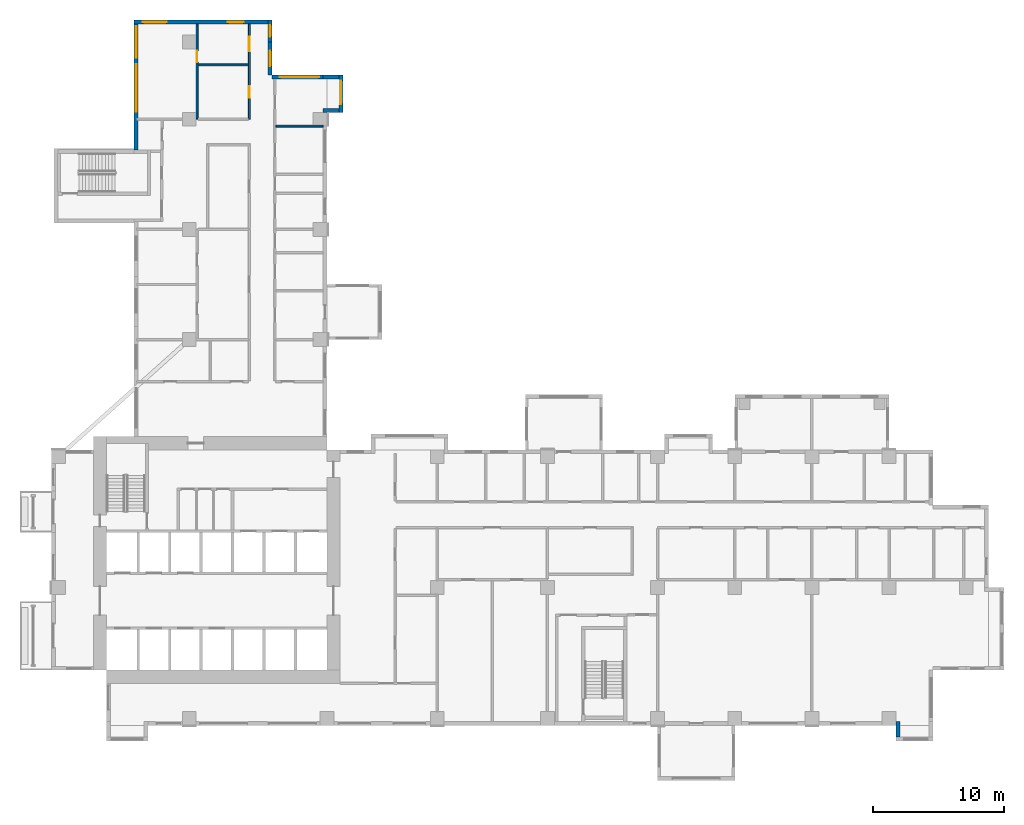
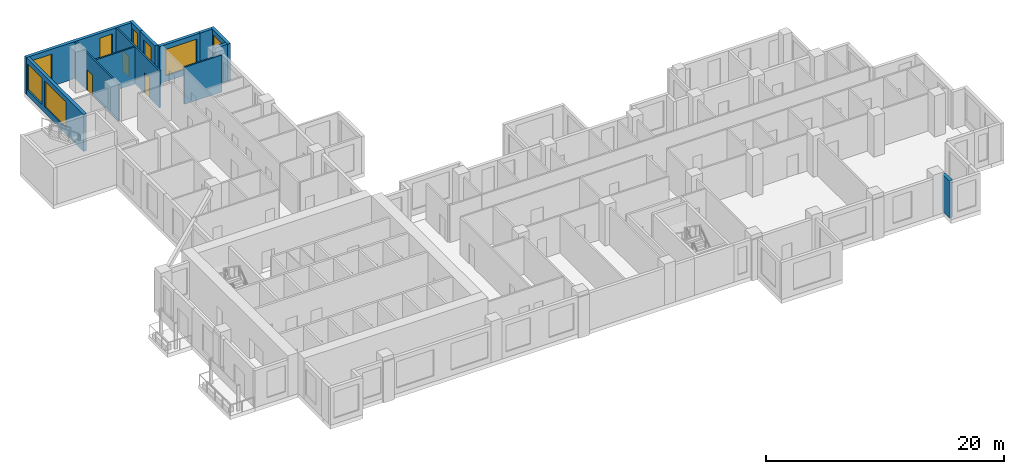
# One storey, part 8 of 15: 13 walls, 8 windows, 3 doors, 11 openings.
"""IFC4 building model written with IfcOpenShell, lengths in metres."""

from ifc_helpers import new_model, si_unit, direction, frame, frame_2d, origin, place, context, subcontext, project, spatial, rectangle, extrude, source, transform, mapped, material, layer, layer_set, type_object, element, fill, save


model = new_model("IFC4")

# Units and contexts
model_context = context("Model", 3, precision=1e-05, world=origin(), true_north=direction((0.0, 1.0)))
body_context = subcontext(model_context, "Body", "Model", "MODEL_VIEW")
ifc_project = project(units=[si_unit("LENGTHUNIT", "METRE"), si_unit("AREAUNIT", "SQUARE_METRE"), si_unit("VOLUMEUNIT", "CUBIC_METRE"), si_unit("PLANEANGLEUNIT", "RADIAN"), si_unit("MASSUNIT", "GRAM", prefix="KILO")], contexts=[model_context])

# Site, building, storey
site_placement = place(None, origin())
site = spatial("IfcSite", under=ifc_project, at=site_placement, CompositionType="ELEMENT")
building_placement = place(site_placement, origin())
building = spatial("IfcBuilding", under=site, at=building_placement, Name="Aurelian Terraces", CompositionType="ELEMENT")
storey_placement = place(building_placement, frame((0.0, 0.0, 120.3)))
storey = spatial("IfcBuildingStorey", under=building, at=storey_placement, Name="L26", CompositionType="ELEMENT", Elevation=120.3)

# Wall, opening, window
ifc_material_1 = material(Name="Terracotta rainscreen cladding", Category="masonry")
ifc_layer_1 = layer(ifc_material_1, 0.3)
ifc_layer_set_1 = layer_set([ifc_layer_1], Name="EW-300")
wall_type_1 = type_object("IfcWallType", Name="EW-300", PredefinedType="STANDARD", material=ifc_layer_set_1)
shared_shape_1 = source(origin(), body_context, "Body", "SweptSolid", [
    extrude(rectangle(XDim=4.2, YDim=0.3, at=frame_2d((2.1, 0.0))), origin(), (0.0, 0.0, 1.0), 3.8),
])
wall_1_placement = place(storey_placement, frame((21.0, 49.41, 0.0), z_axis=(0.0, 0.0, 1.0), x_axis=(-1.0, 0.0, 0.0)))
wall_1 = element("IfcWall", 1, at=wall_1_placement, inside=storey, type_object=wall_type_1, Name="External wall L26 F09.27", PredefinedType="STANDARD", context=body_context, shape_type="MappedRepresentation", body=[
    mapped(shared_shape_1, transform((0.0, 0.0, 0.0), scale=1.0)),
])
shared_shape_2 = source(origin(), body_context, "Body", "SweptSolid", [
    extrude(rectangle(XDim=3.0, YDim=2.7, at=frame_2d((1.5, 1.35))), frame((0.0, 0.16, 0.0), z_axis=(0.0, -1.0, 0.0), x_axis=(1.0, 0.0, 0.0)), (0.0, 0.0, 1.0), 0.32),
])
opening_1_placement = place(wall_1_placement, frame((0.6, 0.0, 0.6)))
opening_1 = element("IfcOpeningElement", 2, at=opening_1_placement, cuts=wall_1, Name="Opening W3027", PredefinedType="OPENING", context=body_context, shape_type="MappedRepresentation", body=[
    mapped(shared_shape_2, transform((0.0, 0.0, 0.0), scale=1.0)),
])
ifc_material_2 = material(Name="Clear glazing", Category="glass")
window_type_1 = type_object("IfcWindowType", Name="W-3000x2700", PartitioningType="SINGLE_PANEL", PredefinedType="WINDOW", material=ifc_material_2)
shared_shape_3 = source(origin(), body_context, "Body", "SweptSolid", [
    extrude(rectangle(XDim=3.0, YDim=2.7, at=frame_2d((1.5, 1.35))), frame((0.0, 0.03, 0.0), z_axis=(0.0, -1.0, 0.0), x_axis=(1.0, 0.0, 0.0)), (0.0, 0.0, 1.0), 0.06),
])
window_1_placement = place(opening_1_placement, origin())
window_1 = element("IfcWindow", 3, at=window_1_placement, inside=storey, type_object=window_type_1, Name="Window L26 L26-F09-27-0", OverallHeight=2.7, OverallWidth=3.0, PartitioningType="SINGLE_PANEL", PredefinedType="WINDOW", context=body_context, shape_type="MappedRepresentation", body=[
    mapped(shared_shape_3, transform((0.0, 0.0, 0.0), scale=1.0)),
])
fill(opening_1, window_1)

# Walls
shared_shape_4 = source(origin(), body_context, "Body", "SweptSolid", [
    extrude(rectangle(XDim=1.2, YDim=0.3, at=frame_2d((0.6, 0.0))), origin(), (0.0, 0.0, 1.0), 3.8),
])
for number, where, z_axis, x_axis, name in (
    (4, (64.515, 0.3, 0.0), (0.0, 0.0, 1.0), (0.0, -1.0, 0.0), "Bay return L26 F01.10.1"),
    (5, (20.7, 46.875, 0.0), (0.0, 0.0, 1.0), (1.0, 0.0, 0.0), "Bay return L26 F08.26.1"),
    (6, (20.7, 49.41, 0.0), (0.0, 0.0, 1.0), (1.0, 0.0, 0.0), "Bay return L26 F08.26.2"),
):
    element("IfcWall", number, at=place(storey_placement, frame(where, z_axis=z_axis, x_axis=x_axis)), inside=storey, type_object=wall_type_1, Name=name, PredefinedType="STANDARD", context=body_context, shape_type="MappedRepresentation", body=[
        mapped(shared_shape_4, transform((0.0, 0.0, 0.0), scale=1.0)),
    ])

# Wall, opening, window
shared_shape_5 = source(origin(), body_context, "Body", "SweptSolid", [
    extrude(rectangle(XDim=2.52, YDim=0.3, at=frame_2d((1.26, 0.0))), origin(), (0.0, 0.0, 1.0), 3.8),
])
wall_2_placement = place(storey_placement, frame((16.65, 49.56, 0.0), z_axis=(0.0, 0.0, 1.0), x_axis=(0.0, 1.0, 0.0)))
wall_2 = element("IfcWall", 7, at=wall_2_placement, inside=storey, type_object=wall_type_1, Name="External wall L26 F10.28", PredefinedType="STANDARD", context=body_context, shape_type="MappedRepresentation", body=[
    mapped(shared_shape_5, transform((0.0, 0.0, 0.0), scale=1.0)),
])
shared_shape_6 = source(origin(), body_context, "Body", "SweptSolid", [
    extrude(rectangle(XDim=1.2, YDim=2.7, at=frame_2d((0.6, 1.35))), frame((0.0, 0.16, 0.0), z_axis=(0.0, -1.0, 0.0), x_axis=(1.0, 0.0, 0.0)), (0.0, 0.0, 1.0), 0.32),
])
opening_2_placement = place(wall_2_placement, frame((0.66, 0.0, 0.6)))
opening_2 = element("IfcOpeningElement", 8, at=opening_2_placement, cuts=wall_2, Name="Opening W1227", PredefinedType="OPENING", context=body_context, shape_type="MappedRepresentation", body=[
    mapped(shared_shape_6, transform((0.0, 0.0, 0.0), scale=1.0)),
])
window_type_2 = type_object("IfcWindowType", Name="W-1200x2700", PartitioningType="SINGLE_PANEL", PredefinedType="WINDOW", material=ifc_material_2)
shared_shape_7 = source(origin(), body_context, "Body", "SweptSolid", [
    extrude(rectangle(XDim=1.2, YDim=2.7, at=frame_2d((0.6, 1.35))), frame((0.0, 0.03, 0.0), z_axis=(0.0, -1.0, 0.0), x_axis=(1.0, 0.0, 0.0)), (0.0, 0.0, 1.0), 0.06),
])
window_2_placement = place(opening_2_placement, origin())
window_2 = element("IfcWindow", 9, at=window_2_placement, inside=storey, type_object=window_type_2, Name="Window L26 L26-F10-28-0", OverallHeight=2.7, OverallWidth=1.2, PartitioningType="SINGLE_PANEL", PredefinedType="WINDOW", context=body_context, shape_type="MappedRepresentation", body=[
    mapped(shared_shape_7, transform((0.0, 0.0, 0.0), scale=1.0)),
])
fill(opening_2, window_2)

shared_shape_8 = source(origin(), body_context, "Body", "SweptSolid", [
    extrude(rectangle(XDim=1.68, YDim=0.3, at=frame_2d((0.84, 0.0))), origin(), (0.0, 0.0, 1.0), 3.8),
])
wall_3_placement = place(storey_placement, frame((16.65, 52.08, 0.0), z_axis=(0.0, 0.0, 1.0), x_axis=(0.0, 1.0, 0.0)))
wall_3 = element("IfcWall", 10, at=wall_3_placement, inside=storey, type_object=wall_type_1, Name="External wall L26 F10.29", PredefinedType="STANDARD", context=body_context, shape_type="MappedRepresentation", body=[
    mapped(shared_shape_8, transform((0.0, 0.0, 0.0), scale=1.0)),
])
shared_shape_9 = source(origin(), body_context, "Body", "SweptSolid", [
    extrude(rectangle(XDim=0.9, YDim=2.7, at=frame_2d((0.45, 1.35))), frame((0.0, 0.16, 0.0), z_axis=(0.0, -1.0, 0.0), x_axis=(1.0, 0.0, 0.0)), (0.0, 0.0, 1.0), 0.32),
])
opening_3_placement = place(wall_3_placement, frame((0.39, 0.0, 0.6)))
opening_3 = element("IfcOpeningElement", 11, at=opening_3_placement, cuts=wall_3, Name="Opening W0927", PredefinedType="OPENING", context=body_context, shape_type="MappedRepresentation", body=[
    mapped(shared_shape_9, transform((0.0, 0.0, 0.0), scale=1.0)),
])
window_type_3 = type_object("IfcWindowType", Name="W-900x2700", PartitioningType="SINGLE_PANEL", PredefinedType="WINDOW", material=ifc_material_2)
shared_shape_10 = source(origin(), body_context, "Body", "SweptSolid", [
    extrude(rectangle(XDim=0.9, YDim=2.7, at=frame_2d((0.45, 1.35))), frame((0.0, 0.03, 0.0), z_axis=(0.0, -1.0, 0.0), x_axis=(1.0, 0.0, 0.0)), (0.0, 0.0, 1.0), 0.06),
])
window_3_placement = place(opening_3_placement, origin())
window_3 = element("IfcWindow", 12, at=window_3_placement, inside=storey, type_object=window_type_3, Name="Window L26 L26-F10-29-P0", OverallHeight=2.7, OverallWidth=0.9, PartitioningType="SINGLE_PANEL", PredefinedType="WINDOW", context=body_context, shape_type="MappedRepresentation", body=[
    mapped(shared_shape_10, transform((0.0, 0.0, 0.0), scale=1.0)),
])
fill(opening_3, window_3)

shared_shape_11 = source(origin(), body_context, "Body", "SweptSolid", [
    extrude(rectangle(XDim=2.835, YDim=0.3, at=frame_2d((1.4175, 0.0))), origin(), (0.0, 0.0, 1.0), 3.8),
])
wall_4_placement = place(storey_placement, frame((22.05, 46.725, 0.0), z_axis=(0.0, 0.0, 1.0), x_axis=(0.0, 1.0, 0.0)))
wall_4 = element("IfcWall", 13, at=wall_4_placement, inside=storey, type_object=wall_type_1, Name="Bay wall L26 F08.26", PredefinedType="STANDARD", context=body_context, shape_type="MappedRepresentation", body=[
    mapped(shared_shape_11, transform((0.0, 0.0, 0.0), scale=1.0)),
])
shared_shape_12 = source(origin(), body_context, "Body", "SweptSolid", [
    extrude(rectangle(XDim=1.8, YDim=2.7, at=frame_2d((0.9, 1.35))), frame((0.0, 0.16, 0.0), z_axis=(0.0, -1.0, 0.0), x_axis=(1.0, 0.0, 0.0)), (0.0, 0.0, 1.0), 0.32),
])
opening_4_placement = place(wall_4_placement, frame((0.6175, 0.0, 0.6)))
opening_4 = element("IfcOpeningElement", 14, at=opening_4_placement, cuts=wall_4, Name="Opening W1827", PredefinedType="OPENING", context=body_context, shape_type="MappedRepresentation", body=[
    mapped(shared_shape_12, transform((0.0, 0.0, 0.0), scale=1.0)),
])
window_type_4 = type_object("IfcWindowType", Name="W-1800x2700", PartitioningType="SINGLE_PANEL", PredefinedType="WINDOW", material=ifc_material_2)
shared_shape_13 = source(origin(), body_context, "Body", "SweptSolid", [
    extrude(rectangle(XDim=1.8, YDim=2.7, at=frame_2d((0.9, 1.35))), frame((0.0, 0.03, 0.0), z_axis=(0.0, -1.0, 0.0), x_axis=(1.0, 0.0, 0.0)), (0.0, 0.0, 1.0), 0.06),
])
window_4_placement = place(opening_4_placement, origin())
window_4 = element("IfcWindow", 15, at=window_4_placement, inside=storey, type_object=window_type_4, Name="Window L26 L26-F08-26-0", OverallHeight=2.7, OverallWidth=1.8, PartitioningType="SINGLE_PANEL", PredefinedType="WINDOW", context=body_context, shape_type="MappedRepresentation", body=[
    mapped(shared_shape_13, transform((0.0, 0.0, 0.0), scale=1.0)),
])
fill(opening_4, window_4)

# Wall, openings, windows
shared_shape_14 = source(origin(), body_context, "Body", "SweptSolid", [
    extrude(rectangle(XDim=10.5, YDim=0.3, at=frame_2d((5.25, 0.0))), origin(), (0.0, 0.0, 1.0), 3.8),
])
wall_5_placement = place(storey_placement, frame((16.8, 53.61, 0.0), z_axis=(0.0, 0.0, 1.0), x_axis=(-1.0, 0.0, 0.0)))
wall_5 = element("IfcWall", 16, at=wall_5_placement, inside=storey, type_object=wall_type_1, Name="External wall L26 F11.30", PredefinedType="STANDARD", context=body_context, shape_type="MappedRepresentation", body=[
    mapped(shared_shape_14, transform((0.0, 0.0, 0.0), scale=1.0)),
])
opening_5_placement = place(wall_5_placement, frame((2.15, 0.0, 0.6)))
opening_5 = element("IfcOpeningElement", 17, at=opening_5_placement, cuts=wall_5, Name="Opening W1227", PredefinedType="OPENING", context=body_context, shape_type="MappedRepresentation", body=[
    mapped(shared_shape_6, transform((0.0, 0.0, 0.0), scale=1.0)),
])
opening_6_placement = place(wall_5_placement, frame((8.025, 0.0, 0.6)))
opening_6 = element("IfcOpeningElement", 18, at=opening_6_placement, cuts=wall_5, Name="Opening W1827", PredefinedType="OPENING", context=body_context, shape_type="MappedRepresentation", body=[
    mapped(shared_shape_12, transform((0.0, 0.0, 0.0), scale=1.0)),
])
window_5_placement = place(opening_6_placement, origin())
window_5 = element("IfcWindow", 19, at=window_5_placement, inside=storey, type_object=window_type_4, Name="Window L26 L26-F11-30-2", OverallHeight=2.7, OverallWidth=1.8, PartitioningType="SINGLE_PANEL", PredefinedType="WINDOW", context=body_context, shape_type="MappedRepresentation", body=[
    mapped(shared_shape_13, transform((0.0, 0.0, 0.0), scale=1.0)),
])
fill(opening_6, window_5)
window_6_placement = place(opening_5_placement, origin())
window_6 = element("IfcWindow", 20, at=window_6_placement, inside=storey, type_object=window_type_2, Name="Window L26 L26-F11-30-0", OverallHeight=2.7, OverallWidth=1.2, PartitioningType="SINGLE_PANEL", PredefinedType="WINDOW", context=body_context, shape_type="MappedRepresentation", body=[
    mapped(shared_shape_7, transform((0.0, 0.0, 0.0), scale=1.0)),
])
fill(opening_5, window_6)

shared_shape_15 = source(origin(), body_context, "Body", "SweptSolid", [
    extrude(rectangle(XDim=9.91, YDim=0.3, at=frame_2d((4.955, 0.0))), origin(), (0.0, 0.0, 1.0), 3.8),
])
wall_6_placement = place(storey_placement, frame((6.45, 53.76, 0.0), z_axis=(0.0, 0.0, 1.0), x_axis=(0.0, -1.0, 0.0)))
wall_6 = element("IfcWall", 21, at=wall_6_placement, inside=storey, type_object=wall_type_1, Name="External wall L26 F12.31", PredefinedType="STANDARD", context=body_context, shape_type="MappedRepresentation", body=[
    mapped(shared_shape_15, transform((0.0, 0.0, 0.0), scale=1.0)),
])
shared_shape_16 = source(origin(), body_context, "Body", "SweptSolid", [
    extrude(rectangle(XDim=3.6, YDim=2.7, at=frame_2d((1.8, 1.35))), frame((0.0, 0.16, 0.0), z_axis=(0.0, -1.0, 0.0), x_axis=(1.0, 0.0, 0.0)), (0.0, 0.0, 1.0), 0.32),
])
opening_7_placement = place(wall_6_placement, frame((3.39, 0.0, 0.6)))
opening_7 = element("IfcOpeningElement", 22, at=opening_7_placement, cuts=wall_6, Name="Opening W3627", PredefinedType="OPENING", context=body_context, shape_type="MappedRepresentation", body=[
    mapped(shared_shape_16, transform((0.0, 0.0, 0.0), scale=1.0)),
])
shared_shape_17 = source(origin(), body_context, "Body", "SweptSolid", [
    extrude(rectangle(XDim=2.4, YDim=2.7, at=frame_2d((1.2, 1.35))), frame((0.0, 0.16, 0.0), z_axis=(0.0, -1.0, 0.0), x_axis=(1.0, 0.0, 0.0)), (0.0, 0.0, 1.0), 0.32),
])
opening_8_placement = place(wall_6_placement, frame((0.495, 0.0, 0.6)))
opening_8 = element("IfcOpeningElement", 23, at=opening_8_placement, cuts=wall_6, Name="Opening W2427", PredefinedType="OPENING", context=body_context, shape_type="MappedRepresentation", body=[
    mapped(shared_shape_17, transform((0.0, 0.0, 0.0), scale=1.0)),
])
window_type_5 = type_object("IfcWindowType", Name="W-3600x2700", PartitioningType="SINGLE_PANEL", PredefinedType="WINDOW", material=ifc_material_2)
shared_shape_18 = source(origin(), body_context, "Body", "SweptSolid", [
    extrude(rectangle(XDim=3.6, YDim=2.7, at=frame_2d((1.8, 1.35))), frame((0.0, 0.03, 0.0), z_axis=(0.0, -1.0, 0.0), x_axis=(1.0, 0.0, 0.0)), (0.0, 0.0, 1.0), 0.06),
])
window_7_placement = place(opening_7_placement, origin())
window_7 = element("IfcWindow", 24, at=window_7_placement, inside=storey, type_object=window_type_5, Name="Window L26 L26-F12-31-1", OverallHeight=2.7, OverallWidth=3.6, PartitioningType="SINGLE_PANEL", PredefinedType="WINDOW", context=body_context, shape_type="MappedRepresentation", body=[
    mapped(shared_shape_18, transform((0.0, 0.0, 0.0), scale=1.0)),
])
fill(opening_7, window_7)
window_type_6 = type_object("IfcWindowType", Name="W-2400x2700", PartitioningType="SINGLE_PANEL", PredefinedType="WINDOW", material=ifc_material_2)
shared_shape_19 = source(origin(), body_context, "Body", "SweptSolid", [
    extrude(rectangle(XDim=2.4, YDim=2.7, at=frame_2d((1.2, 1.35))), frame((0.0, 0.03, 0.0), z_axis=(0.0, -1.0, 0.0), x_axis=(1.0, 0.0, 0.0)), (0.0, 0.0, 1.0), 0.06),
])
window_8_placement = place(opening_8_placement, origin())
window_8 = element("IfcWindow", 25, at=window_8_placement, inside=storey, type_object=window_type_6, Name="Window L26 L26-F12-31-G0-0", OverallHeight=2.7, OverallWidth=2.4, PartitioningType="SINGLE_PANEL", PredefinedType="WINDOW", context=body_context, shape_type="MappedRepresentation", body=[
    mapped(shared_shape_19, transform((0.0, 0.0, 0.0), scale=1.0)),
])
fill(opening_8, window_8)

# Wall
ifc_material_3 = material(Name="Gypsum board on steel studs", Category="steel")
ifc_layer_2 = layer(ifc_material_3, 0.15)
ifc_layer_set_2 = layer_set([ifc_layer_2], Name="Partition 150")
wall_type_2 = type_object("IfcWallType", Name="Partition 150", PredefinedType="PARTITIONING", material=ifc_layer_set_2)
shared_shape_20 = source(origin(), body_context, "Body", "SweptSolid", [
    extrude(rectangle(XDim=3.6, YDim=0.15, at=frame_2d((1.8, 0.0))), origin(), (0.0, 0.0, 1.0), 3.8),
])
wall_7_placement = place(storey_placement, frame((17.1, 45.6675, 0.0), z_axis=(0.0, 0.0, 1.0), x_axis=(1.0, 0.0, 0.0)))
element("IfcWall", 26, at=wall_7_placement, inside=storey, type_object=wall_type_2, Name="Partition", PredefinedType="PARTITIONING", context=body_context, shape_type="MappedRepresentation", body=[
    mapped(shared_shape_20, transform((0.0, 0.0, 0.0), scale=1.0)),
])

# Wall, opening, door
shared_shape_21 = source(origin(), body_context, "Body", "SweptSolid", [
    extrude(rectangle(XDim=7.26, YDim=0.15, at=frame_2d((3.63, 0.0))), origin(), (0.0, 0.0, 1.0), 3.8),
])
wall_8_placement = place(storey_placement, frame((11.1, 46.2, 0.0), z_axis=(0.0, 0.0, 1.0), x_axis=(0.0, 1.0, 0.0)))
wall_8 = element("IfcWall", 27, at=wall_8_placement, inside=storey, type_object=wall_type_2, Name="Partition", PredefinedType="PARTITIONING", context=body_context, shape_type="MappedRepresentation", body=[
    mapped(shared_shape_21, transform((0.0, 0.0, 0.0), scale=1.0)),
])
shared_shape_22 = source(origin(), body_context, "Body", "SweptSolid", [
    extrude(rectangle(XDim=0.9, YDim=2.1, at=frame_2d((0.45, 1.05))), frame((0.0, 0.085, 0.0), z_axis=(0.0, -1.0, 0.0), x_axis=(1.0, 0.0, 0.0)), (0.0, 0.0, 1.0), 0.17),
])
opening_9_placement = place(wall_8_placement, frame((4.3317, 0.0, 0.0)))
opening_9 = element("IfcOpeningElement", 28, at=opening_9_placement, cuts=wall_8, Name="Opening 726040", PredefinedType="OPENING", context=body_context, shape_type="MappedRepresentation", body=[
    mapped(shared_shape_22, transform((0.0, 0.0, 0.0), scale=1.0)),
])
ifc_material_4 = material(Name="Timber door leaf", Category="wood")
door_type_1 = type_object("IfcDoorType", Name="Room door 900x2100 right", OperationType="SINGLE_SWING_RIGHT", PredefinedType="DOOR", material=ifc_material_4)
shared_shape_23 = source(origin(), body_context, "Body", "SweptSolid", [
    extrude(rectangle(XDim=0.9, YDim=2.1, at=frame_2d((0.45, 1.05))), frame((0.0, 0.025, 0.0), z_axis=(0.0, -1.0, 0.0), x_axis=(1.0, 0.0, 0.0)), (0.0, 0.0, 1.0), 0.05),
])
door_1_placement = place(opening_9_placement, origin())
door_1 = element("IfcDoor", 29, at=door_1_placement, inside=storey, type_object=door_type_1, Name="Door 726040", OperationType="SINGLE_SWING_RIGHT", OverallHeight=2.1, OverallWidth=0.9, PredefinedType="DOOR", context=body_context, shape_type="MappedRepresentation", body=[
    mapped(shared_shape_23, transform((0.0, 0.0, 0.0), scale=1.0)),
])
fill(opening_9, door_1)

# Wall, openings, doors
ifc_layer_3 = layer(ifc_material_3, 0.15)
ifc_layer_set_3 = layer_set([ifc_layer_3], Name="Fire partition 150")
wall_type_3 = type_object("IfcWallType", Name="Fire partition 150", PredefinedType="PARTITIONING", material=ifc_layer_set_3)
wall_9_placement = place(storey_placement, frame((15.075, 46.2, 0.0), z_axis=(0.0, 0.0, 1.0), x_axis=(0.0, 1.0, 0.0)))
wall_9 = element("IfcWall", 30, at=wall_9_placement, inside=storey, type_object=wall_type_3, Name="Corridor wall", PredefinedType="PARTITIONING", context=body_context, shape_type="MappedRepresentation", body=[
    mapped(shared_shape_21, transform((0.0, 0.0, 0.0), scale=1.0)),
])
shared_shape_24 = source(origin(), body_context, "Body", "SweptSolid", [
    extrude(rectangle(XDim=1.1, YDim=2.1, at=frame_2d((0.55, 1.05))), frame((0.0, 0.085, 0.0), z_axis=(0.0, -1.0, 0.0), x_axis=(1.0, 0.0, 0.0)), (0.0, 0.0, 1.0), 0.17),
])
opening_10_placement = place(wall_9_placement, frame((5.1842, 0.0, 0.0)))
opening_10 = element("IfcOpeningElement", 31, at=opening_10_placement, cuts=wall_9, Name="Opening 726039", PredefinedType="OPENING", context=body_context, shape_type="MappedRepresentation", body=[
    mapped(shared_shape_24, transform((0.0, 0.0, 0.0), scale=1.0)),
])
opening_11_placement = place(wall_9_placement, frame((1.6167, 0.0, 0.0)))
opening_11 = element("IfcOpeningElement", 32, at=opening_11_placement, cuts=wall_9, Name="Opening 726041", PredefinedType="OPENING", context=body_context, shape_type="MappedRepresentation", body=[
    mapped(shared_shape_22, transform((0.0, 0.0, 0.0), scale=1.0)),
])
door_type_2 = type_object("IfcDoorType", Name="Room door 900x2100 left", OperationType="SINGLE_SWING_LEFT", PredefinedType="DOOR", material=ifc_material_4)
door_2_placement = place(opening_11_placement, origin())
door_2 = element("IfcDoor", 33, at=door_2_placement, inside=storey, type_object=door_type_2, Name="Door 726041", OperationType="SINGLE_SWING_LEFT", OverallHeight=2.1, OverallWidth=0.9, PredefinedType="DOOR", context=body_context, shape_type="MappedRepresentation", body=[
    mapped(shared_shape_23, transform((0.0, 0.0, 0.0), scale=1.0)),
])
fill(opening_11, door_2)
door_type_3 = type_object("IfcDoorType", Name="Room door 1100x2100 left", OperationType="SINGLE_SWING_LEFT", PredefinedType="DOOR", material=ifc_material_4)
shared_shape_25 = source(origin(), body_context, "Body", "SweptSolid", [
    extrude(rectangle(XDim=1.1, YDim=2.1, at=frame_2d((0.55, 1.05))), frame((0.0, 0.025, 0.0), z_axis=(0.0, -1.0, 0.0), x_axis=(1.0, 0.0, 0.0)), (0.0, 0.0, 1.0), 0.05),
])
door_3_placement = place(opening_10_placement, origin())
door_3 = element("IfcDoor", 34, at=door_3_placement, inside=storey, type_object=door_type_3, Name="Door 726039", OperationType="SINGLE_SWING_LEFT", OverallHeight=2.1, OverallWidth=1.1, PredefinedType="DOOR", context=body_context, shape_type="MappedRepresentation", body=[
    mapped(shared_shape_25, transform((0.0, 0.0, 0.0), scale=1.0)),
])
fill(opening_10, door_3)

# Wall
shared_shape_26 = source(origin(), body_context, "Body", "SweptSolid", [
    extrude(rectangle(XDim=3.825, YDim=0.15, at=frame_2d((1.9125, 0.0))), origin(), (0.0, 0.0, 1.0), 3.8),
])
wall_10_placement = place(storey_placement, frame((15.0, 50.3335, 0.0), z_axis=(0.0, 0.0, 1.0), x_axis=(-1.0, 0.0, 0.0)))
element("IfcWall", 35, at=wall_10_placement, inside=storey, type_object=wall_type_2, Name="Partition", PredefinedType="PARTITIONING", context=body_context, shape_type="MappedRepresentation", body=[
    mapped(shared_shape_26, transform((0.0, 0.0, 0.0), scale=1.0)),
])

save(model, "model.ifc")
